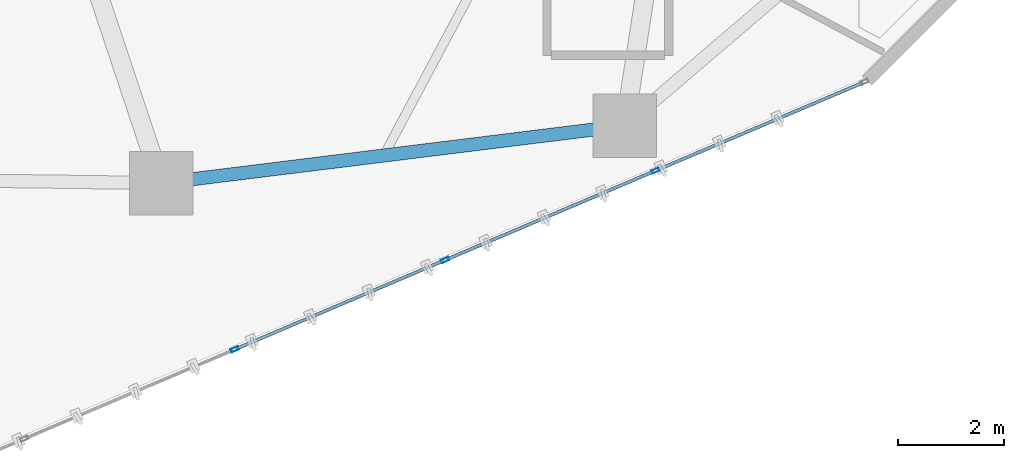
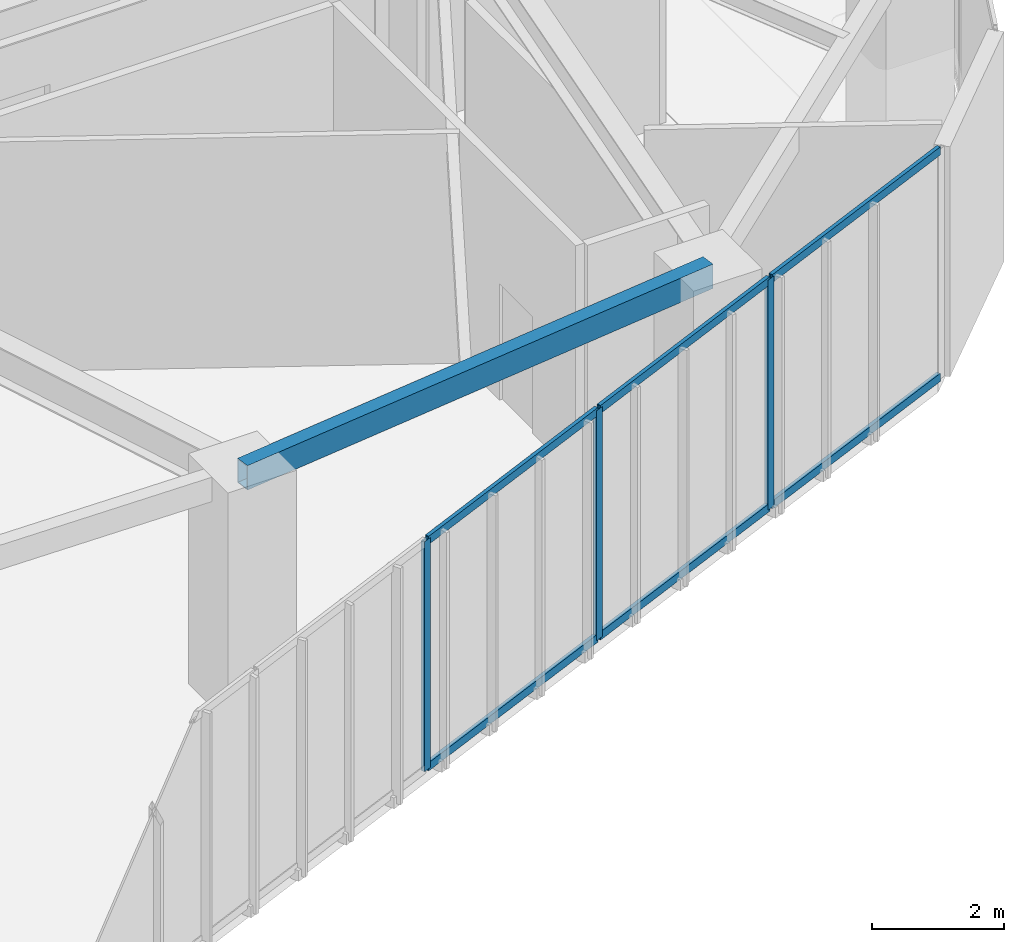
# One storey, part 6 of 28: 9 members, 1 beam, 1 element without a shape of its own.
"""IFC4 building model written with IfcOpenShell, lengths in metres."""

import ifcopenshell
import ifcopenshell.guid

model = None  # the IFC model being written
_history = None  # IfcOwnerHistory: only IFC2X3 demands one
_inside = {}  # id of a spatial element -> (the spatial element, [elements in it])
_under = {}  # id of a project, library or spatial element -> (it, [spatial elements below it])
_declared = {}  # id of a project -> (the project, [libraries it declares])
_typed = {}  # id of a type object -> (the type object, [elements of that type])
_made_of = {}  # id of a material, layer set ... -> (it, [elements and type objects made of it])


def new_model(schema):
    """Start an empty IFC model of exactly this schema.

    Asked for "IFC4X3", IfcOpenShell would pick the latest addendum, in which some entities
    have other attributes; the version numbers below select the first issue.
    IFC2X3 requires an IfcOwnerHistory on every rooted entity: one is made here for all.
    """
    global model, _history
    if schema == "IFC4X3":
        model = ifcopenshell.file(schema_version=(4, 3, 0, 0))
    else:
        model = ifcopenshell.file(schema=schema)
    _inside.clear()
    _under.clear()
    _declared.clear()
    _typed.clear()
    _made_of.clear()
    _history = None
    if model.schema == "IFC2X3":
        org = make("IfcOrganization", Name="unknown")
        user = make(
            "IfcPersonAndOrganization",
            ThePerson=make("IfcPerson", FamilyName="unknown"),
            TheOrganization=org,
        )
        app = make(
            "IfcApplication",
            ApplicationDeveloper=org,
            Version="unknown",
            ApplicationFullName="unknown",
            ApplicationIdentifier="unknown",
        )
        _history = make(
            "IfcOwnerHistory",
            OwningUser=user,
            OwningApplication=app,
            ChangeAction="ADDED",
            CreationDate=0,
        )
    return model


def make(cls, **values):
    """One entity of the class cls with the attributes given. An attribute that is None is left unset."""
    return model.create_entity(
        cls, **{name: value for name, value in values.items() if value is not None}
    )


def rooted(cls, **values):
    """An entity with a GlobalId (a new one), such as an element, a storey or a relation."""
    return make(cls, GlobalId=ifcopenshell.guid.new(), OwnerHistory=_history, **values)


def si_unit(unit_type, name, prefix=None):
    """IfcSIUnit, for example si_unit("LENGTHUNIT", "METRE", prefix="MILLI")."""
    return make("IfcSIUnit", UnitType=unit_type, Prefix=prefix, Name=name)


def assignment(units):
    """IfcUnitAssignment: the units of a project."""
    return None if units is None else make("IfcUnitAssignment", Units=units)


def point(xyz):
    """IfcCartesianPoint."""
    return None if xyz is None else make("IfcCartesianPoint", Coordinates=xyz)


def direction(xyz):
    """IfcDirection."""
    return None if xyz is None else make("IfcDirection", DirectionRatios=xyz)


def frame(location, z_axis=None, x_axis=None):
    """IfcAxis2Placement3D, a coordinate frame: its origin and axes. An axis left out is left unset."""
    return make(
        "IfcAxis2Placement3D",
        Location=point(location),
        Axis=direction(z_axis),
        RefDirection=direction(x_axis),
    )


def frame_2d(location, x_axis=None):
    """IfcAxis2Placement2D, a coordinate frame in the plane: its origin and x axis."""
    return make(
        "IfcAxis2Placement2D", Location=point(location), RefDirection=direction(x_axis)
    )


def origin():
    """The frame at (0, 0, 0) with its axes left unset."""
    return frame((0.0, 0.0, 0.0))


def origin_2d():
    """The frame at (0, 0) in the plane with its x axis left unset."""
    return frame_2d((0.0, 0.0))


def place(relative_to, where):
    """IfcLocalPlacement: puts the frame where relative to a parent placement (None: the world)."""
    return make(
        "IfcLocalPlacement", PlacementRelTo=relative_to, RelativePlacement=where
    )


def context(
    kind, dimensions, precision=None, world=None, true_north=None, identifier=None
):
    """IfcGeometricRepresentationContext, for example the 3D "Model" context."""
    return make(
        "IfcGeometricRepresentationContext",
        ContextIdentifier=identifier,
        ContextType=kind,
        CoordinateSpaceDimension=dimensions,
        Precision=precision,
        WorldCoordinateSystem=world,
        TrueNorth=true_north,
    )


def subcontext(parent, identifier, kind, view, scale=None):
    """IfcGeometricRepresentationSubContext, for example "Body" below "Model"."""
    return make(
        "IfcGeometricRepresentationSubContext",
        ContextIdentifier=identifier,
        ContextType=kind,
        ParentContext=parent,
        TargetScale=scale,
        TargetView=view,
    )


def project(units=None, contexts=None):
    """IfcProject with its units and contexts."""
    return rooted(
        "IfcProject",
        Name="project",
        RepresentationContexts=contexts,
        UnitsInContext=assignment(units),
    )


def spatial(cls, under=None, at=None, **own):
    """A site, building, storey or space (cls), placed at a placement, below another one or the project."""
    s = rooted(cls, ObjectPlacement=at, **own)
    if under is not None:
        _under.setdefault(under.id(), (under, []))[1].append(s)
    return s


def profile(cls, at=None, kind="AREA", **sizes):
    """A parametric profile (cls). Its sizes go by their IFC names, for example OverallWidth=200.0."""
    return make(cls, ProfileType=kind, Position=at, **sizes)


def hollow_rectangle(**sizes):
    """IfcRectangleHollowProfileDef."""
    return profile("IfcRectangleHollowProfileDef", **sizes)


def extrude(swept, where, along, depth):
    """IfcExtrudedAreaSolid: the profile swept, set in the frame where, extruded along a direction by depth."""
    return make(
        "IfcExtrudedAreaSolid",
        SweptArea=swept,
        Position=where,
        ExtrudedDirection=direction(along),
        Depth=depth,
    )


def shape(context_of_items, identifier, shape_type, items):
    """IfcShapeRepresentation: the items that make up one representation, for example the "Body"."""
    return make(
        "IfcShapeRepresentation",
        ContextOfItems=context_of_items,
        RepresentationIdentifier=identifier,
        RepresentationType=shape_type,
        Items=items,
    )


def source(mapping_origin, context_of_items, identifier, shape_type, items):
    """IfcRepresentationMap: a shape defined once, which mapped items show again and again."""
    return make(
        "IfcRepresentationMap",
        MappingOrigin=mapping_origin,
        MappedRepresentation=shape(context_of_items, identifier, shape_type, items),
    )


def transform(
    local_origin,
    x_axis=None,
    y_axis=None,
    z_axis=None,
    scale=None,
    scale2=None,
    scale3=None,
    uniform=True,
):
    """IfcCartesianTransformationOperator3D, or its non-uniform kind. x_axis, y_axis, z_axis: its Axis1, 2, 3."""
    if uniform:
        return make(
            "IfcCartesianTransformationOperator3D",
            Axis1=direction(x_axis),
            Axis2=direction(y_axis),
            LocalOrigin=point(local_origin),
            Scale=scale,
            Axis3=direction(z_axis),
        )
    return make(
        "IfcCartesianTransformationOperator3DnonUniform",
        Axis1=direction(x_axis),
        Axis2=direction(y_axis),
        LocalOrigin=point(local_origin),
        Scale=scale,
        Axis3=direction(z_axis),
        Scale2=scale2,
        Scale3=scale3,
    )


def mapped(mapping_source, mapping_target):
    """IfcMappedItem: shows the shape of a source again, moved by a transform."""
    return make(
        "IfcMappedItem", MappingSource=mapping_source, MappingTarget=mapping_target
    )


def material(Name=None, Category=None):
    """IfcMaterial."""
    return make("IfcMaterial", Name=Name, Category=Category)


def layer(
    of_material, thickness, ventilated=None, Name=None, Category=None, Priority=None
):
    """IfcMaterialLayer: one layer of a wall or slab, of a material (None: an air gap)."""
    return make(
        "IfcMaterialLayer",
        Material=of_material,
        LayerThickness=thickness,
        IsVentilated=ventilated,
        Name=Name,
        Category=Category,
        Priority=Priority,
    )


def layer_set(layers, Name=None):
    """IfcMaterialLayerSet."""
    return make("IfcMaterialLayerSet", MaterialLayers=layers, LayerSetName=Name)


def material_profile(
    of_material, cross_section, Name=None, Category=None, Priority=None
):
    """IfcMaterialProfile: a cross section and its material."""
    return make(
        "IfcMaterialProfile",
        Name=Name,
        Material=of_material,
        Profile=cross_section,
        Priority=Priority,
        Category=Category,
    )


def profile_set(profiles, Name=None, composite=None):
    """IfcMaterialProfileSet."""
    return make(
        "IfcMaterialProfileSet",
        Name=Name,
        MaterialProfiles=profiles,
        CompositeProfile=composite,
    )


def made_of(thing, what):
    """Note that an element or type object is made of a material, layer set ...; save() writes the relation."""
    if what is not None:
        _made_of.setdefault(what.id(), (what, []))[1].append(thing)
    return thing


def type_object(cls, material=None, **own):
    """A type object (cls), such as IfcWallType, which elements share."""
    return made_of(rooted(cls, **own), material)


def type_shapes(of_type, sources):
    """Give a type object the sources (RepresentationMaps) that its elements show as mapped items."""
    of_type.RepresentationMaps = sources


def element(
    cls,
    number,
    at=None,
    inside=None,
    cuts=None,
    type_object=None,
    material=None,
    context=None,
    identifier="Body",
    shape_type=None,
    held_by="IfcProductDefinitionShape",
    body=None,
    shapes=None,
    **own,
):
    """One element of the class cls, such as IfcWall. Its Tag is "e" and its number.

    at: its placement. inside: the storey or other place that contains it. cuts: it is an
    opening in that element (IfcRelVoidsElement). A single representation is given by context,
    identifier, shape_type and body (its items); several are given by shapes. held_by: the class
    of the entity that holds the representations. save() writes the other relations.
    """
    e = rooted(cls, Tag="e%d" % number, ObjectPlacement=at, **own)
    if body is not None:
        shapes = [shape(context, identifier, shape_type, body)]
    if shapes is not None:
        e.Representation = make(held_by, Representations=shapes)
    if inside is not None:
        _inside.setdefault(inside.id(), (inside, []))[1].append(e)
    if cuts is not None:
        rooted(
            "IfcRelVoidsElement", RelatingBuildingElement=cuts, RelatedOpeningElement=e
        )
    if type_object is not None:
        _typed.setdefault(type_object.id(), (type_object, []))[1].append(e)
    return made_of(e, material)


def aggregate(whole, parts):
    """IfcRelAggregates: a whole, such as a stair, and the parts it consists of."""
    return rooted("IfcRelAggregates", RelatingObject=whole, RelatedObjects=parts)


def save(model, path):
    """Write the relations noted so far, then the file.

    IfcRelAggregates (storeys below a building ...), IfcRelContainedInSpatialStructure (elements
    in a storey), IfcRelDefinesByType, IfcRelAssociatesMaterial and IfcRelDeclares: one each for
    every whole, place, type object, material and project.
    """
    for whole, parts in _under.values():
        aggregate(whole, parts)
    for where, things in _inside.values():
        rooted(
            "IfcRelContainedInSpatialStructure",
            RelatedElements=things,
            RelatingStructure=where,
        )
    for kind, things in _typed.values():
        rooted("IfcRelDefinesByType", RelatedObjects=things, RelatingType=kind)
    for what, things in _made_of.values():
        rooted("IfcRelAssociatesMaterial", RelatedObjects=things, RelatingMaterial=what)
    for by, libraries in _declared.values():
        rooted("IfcRelDeclares", RelatingContext=by, RelatedDefinitions=libraries)
    model.write(path)


model = new_model("IFC4")

# Units and contexts
model_context = context("Model", 3, precision=1e-05, world=origin(), true_north=direction((0.0, 1.0)))
body_context = subcontext(model_context, "Body", "Model", "MODEL_VIEW")
ifc_project = project(units=[si_unit("LENGTHUNIT", "METRE"), si_unit("AREAUNIT", "SQUARE_METRE"), si_unit("VOLUMEUNIT", "CUBIC_METRE"), si_unit("PLANEANGLEUNIT", "RADIAN"), si_unit("MASSUNIT", "GRAM", prefix="KILO")], contexts=[model_context])

# Site, building, storey
site_placement = place(None, origin())
site = spatial("IfcSite", under=ifc_project, at=site_placement, CompositionType="ELEMENT")
building_placement = place(site_placement, origin())
building = spatial("IfcBuilding", under=site, at=building_placement, Name="Talar Marvaseh", CompositionType="ELEMENT")
storey_placement = place(building_placement, frame((0.0, 0.0, 157.800048828125)))
storey = spatial("IfcBuildingStorey", under=building, at=storey_placement, Name="L41", CompositionType="ELEMENT", Elevation=157.800048828125)

# Beam
ifc_material_1 = material(Name="Steel S355", Category="steel")
ifc_material_profile_1 = material_profile(ifc_material_1, hollow_rectangle(XDim=0.25, YDim=0.449951171875, WallThickness=0.01611328125, at=origin_2d()), Name="RHS450x250x16")
ifc_profile_set_1 = profile_set([ifc_material_profile_1], Name="Steel S355")
beam_type = type_object("IfcBeamType", Name="Zone 2 Perimeter Spandrel Beam RHS450x250x16", PredefinedType="SPANDREL", material=ifc_profile_set_1)
beam_placement = place(storey_placement, frame((31.570068359375, 14.26806640625, 4.02490234375), z_axis=(-0.992426007218, -0.122843885468, 0.0), x_axis=(0.122843885468, -0.992426007218, 0.0)))
element("IfcBeam", 1, at=beam_placement, inside=storey, type_object=beam_type, Name="L41 Zone 2 Perimeter Spandrel Beam RHS450x250x16", PredefinedType="SPANDREL", context=body_context, shape_type="SweptSolid", body=[
    extrude(hollow_rectangle(XDim=0.25, YDim=0.449951171875, WallThickness=0.01611328125, at=origin_2d()), origin(), (0.0, 0.0, 1.0), 8.83203125),
])

# Curtain wall, members
ifc_material_2 = material(Name="Architectural Aluminium", Category="aluminium")
ifc_layer = layer(ifc_material_2, 0.239990234375)
ifc_layer_set = layer_set([ifc_layer], Name="Architectural Aluminium")
curtain_wall_type = type_object("IfcCurtainWallType", Name="Observation Sky Gallery Structural Glass Wall", PredefinedType="NOTDEFINED", material=ifc_layer_set)
curtain_wall_placement = place(storey_placement, origin())
curtain_wall = element("IfcCurtainWall", 2, at=curtain_wall_placement, inside=storey, type_object=curtain_wall_type, Name="L41 Observation Sky Gallery Structural Glass Wall", PredefinedType="NOTDEFINED")
ifc_material_profile_2 = material_profile(ifc_material_2, hollow_rectangle(XDim=0.06494140625, YDim=0.14990234375, WallThickness=0.00390625, at=origin_2d()), Name="RHS150x65x4")
ifc_profile_set_2 = profile_set([ifc_material_profile_2], Name="Architectural Aluminium")
member_type_1 = type_object("IfcMemberType", Name="Unitised Curtain Wall Slim Mullion RHS150x65x4", PredefinedType="MULLION", material=ifc_profile_set_2)
shared_shape_1 = source(origin(), body_context, "Body", "SweptSolid", [
    extrude(hollow_rectangle(XDim=0.06494140625, YDim=0.14990234375, WallThickness=0.00390625, at=origin_2d()), origin(), (0.0, 0.0, 1.0), 4.25),
])
type_shapes(member_type_1, [shared_shape_1])
member_1_placement = place(storey_placement, frame((32.150634765625, 13.417236328125, 0.0), z_axis=(0.0, 0.0, 1.0), x_axis=(0.390873897571, -0.920444238505, 0.0)))
member_1 = element("IfcMember", 3, at=member_1_placement, type_object=member_type_1, Name="CW-OBS mullion 2", PredefinedType="MULLION", context=body_context, shape_type="MappedRepresentation", body=[
    mapped(shared_shape_1, transform((0.0, 0.0, 0.0), x_axis=(1.0, 0.0, 0.0), y_axis=(0.0, 1.0, 0.0), z_axis=(0.0, 0.0, 1.0), scale=1.0)),
])
member_2_placement = place(storey_placement, frame((28.171142578125, 11.727294921875, 0.0), z_axis=(0.0, 0.0, 1.0), x_axis=(0.390873897571, -0.920444238505, 0.0)))
member_2 = element("IfcMember", 4, at=member_2_placement, type_object=member_type_1, Name="CW-OBS mullion 3", PredefinedType="MULLION", context=body_context, shape_type="MappedRepresentation", body=[
    mapped(shared_shape_1, transform((0.0, 0.0, 0.0), x_axis=(1.0, 0.0, 0.0), y_axis=(0.0, 1.0, 0.0), z_axis=(0.0, 0.0, 1.0), scale=1.0)),
])
member_3_placement = place(storey_placement, frame((24.19140625, 10.037109375, 0.0), z_axis=(0.0, 0.0, 1.0), x_axis=(0.390873897571, -0.920444238505, 0.0)))
member_3 = element("IfcMember", 5, at=member_3_placement, type_object=member_type_1, Name="CW-OBS mullion 4", PredefinedType="MULLION", context=body_context, shape_type="MappedRepresentation", body=[
    mapped(shared_shape_1, transform((0.0, 0.0, 0.0), x_axis=(1.0, 0.0, 0.0), y_axis=(0.0, 1.0, 0.0), z_axis=(0.0, 0.0, 1.0), scale=1.0)),
])
ifc_material_profile_3 = material_profile(ifc_material_2, hollow_rectangle(XDim=0.06494140625, YDim=0.14990234375, WallThickness=0.00390625, at=origin_2d()), Name="RHS150x65x4")
ifc_profile_set_3 = profile_set([ifc_material_profile_3], Name="Architectural Aluminium")
member_type_2 = type_object("IfcMemberType", Name="Unitised Curtain Wall Slim Transom RHS150x65x4", PredefinedType="USERDEFINED", material=ifc_profile_set_3)
shared_shape_2 = source(origin(), body_context, "Body", "SweptSolid", [
    extrude(hollow_rectangle(XDim=0.06494140625, YDim=0.14990234375, WallThickness=0.00390625, at=origin_2d()), origin(), (0.0, 0.0, 1.0), 4.258544921875),
])
member_4_placement = place(storey_placement, frame((32.12060546875, 13.404541015625, 0.032470703125), z_axis=(-0.920441809516, -0.390879617395, 0.0), x_axis=(0.390879617395, -0.920441809516, 0.0)))
member_4 = element("IfcMember", 6, at=member_4_placement, type_object=member_type_2, Name="CW-OBS transom 2.1", ObjectType="TRANSOM", PredefinedType="USERDEFINED", context=body_context, shape_type="MappedRepresentation", body=[
    mapped(shared_shape_2, transform((0.0, 0.0, 0.0), x_axis=(1.0, 0.0, 0.0), y_axis=(0.0, 1.0, 0.0), z_axis=(0.0, 0.0, 1.0), scale=1.0)),
])
member_5_placement = place(storey_placement, frame((32.12060546875, 13.404541015625, 4.217529296875), z_axis=(-0.920441809516, -0.390879617395, 0.0), x_axis=(0.390879617395, -0.920441809516, 0.0)))
member_5 = element("IfcMember", 7, at=member_5_placement, type_object=member_type_2, Name="CW-OBS transom 2.2", ObjectType="TRANSOM", PredefinedType="USERDEFINED", context=body_context, shape_type="MappedRepresentation", body=[
    mapped(shared_shape_2, transform((0.0, 0.0, 0.0), x_axis=(1.0, 0.0, 0.0), y_axis=(0.0, 1.0, 0.0), z_axis=(0.0, 0.0, 1.0), scale=1.0)),
])
member_6_placement = place(storey_placement, frame((28.14111328125, 11.71435546875, 0.032470703125), z_axis=(-0.920441809516, -0.390879617395, 0.0), x_axis=(0.390879617395, -0.920441809516, 0.0)))
member_6 = element("IfcMember", 8, at=member_6_placement, type_object=member_type_2, Name="CW-OBS transom 3.1", ObjectType="TRANSOM", PredefinedType="USERDEFINED", context=body_context, shape_type="MappedRepresentation", body=[
    mapped(shared_shape_2, transform((0.0, 0.0, 0.0), x_axis=(1.0, 0.0, 0.0), y_axis=(0.0, 1.0, 0.0), z_axis=(0.0, 0.0, 1.0), scale=1.0)),
])
member_7_placement = place(storey_placement, frame((28.14111328125, 11.71435546875, 4.217529296875), z_axis=(-0.920441809516, -0.390879617395, 0.0), x_axis=(0.390879617395, -0.920441809516, 0.0)))
member_7 = element("IfcMember", 9, at=member_7_placement, type_object=member_type_2, Name="CW-OBS transom 3.2", ObjectType="TRANSOM", PredefinedType="USERDEFINED", context=body_context, shape_type="MappedRepresentation", body=[
    mapped(shared_shape_2, transform((0.0, 0.0, 0.0), x_axis=(1.0, 0.0, 0.0), y_axis=(0.0, 1.0, 0.0), z_axis=(0.0, 0.0, 1.0), scale=1.0)),
])
shared_shape_3 = source(origin(), body_context, "Body", "SweptSolid", [
    extrude(hollow_rectangle(XDim=0.06494140625, YDim=0.14990234375, WallThickness=0.00390625, at=origin_2d()), origin(), (0.0, 0.0, 1.0), 4.22607421875),
])
type_shapes(member_type_2, [shared_shape_2, shared_shape_3])
member_8_placement = place(storey_placement, frame((36.0703125, 15.081787109375, 0.032470703125), z_axis=(-0.920445776069, -0.390870276839, 0.0), x_axis=(0.390870276839, -0.920445776069, 0.0)))
member_8 = element("IfcMember", 10, at=member_8_placement, type_object=member_type_2, Name="CW-OBS transom 1.1", ObjectType="TRANSOM", PredefinedType="USERDEFINED", context=body_context, shape_type="MappedRepresentation", body=[
    mapped(shared_shape_3, transform((0.0, 0.0, 0.0), x_axis=(1.0, 0.0, 0.0), y_axis=(0.0, 1.0, 0.0), z_axis=(0.0, 0.0, 1.0), scale=1.0)),
])
member_9_placement = place(storey_placement, frame((36.0703125, 15.081787109375, 4.217529296875), z_axis=(-0.920445776069, -0.390870276839, 0.0), x_axis=(0.390870276839, -0.920445776069, 0.0)))
member_9 = element("IfcMember", 11, at=member_9_placement, type_object=member_type_2, Name="CW-OBS transom 1.2", ObjectType="TRANSOM", PredefinedType="USERDEFINED", context=body_context, shape_type="MappedRepresentation", body=[
    mapped(shared_shape_3, transform((0.0, 0.0, 0.0), x_axis=(1.0, 0.0, 0.0), y_axis=(0.0, 1.0, 0.0), z_axis=(0.0, 0.0, 1.0), scale=1.0)),
])
aggregate(curtain_wall, [member_1, member_2, member_3, member_8, member_9, member_4, member_5, member_6, member_7])

save(model, "model.ifc")
